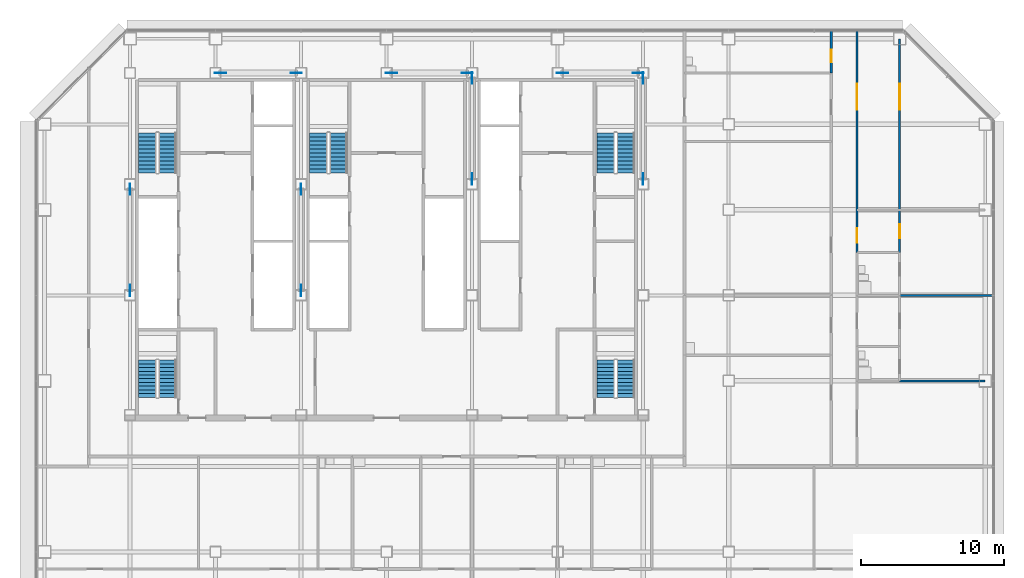
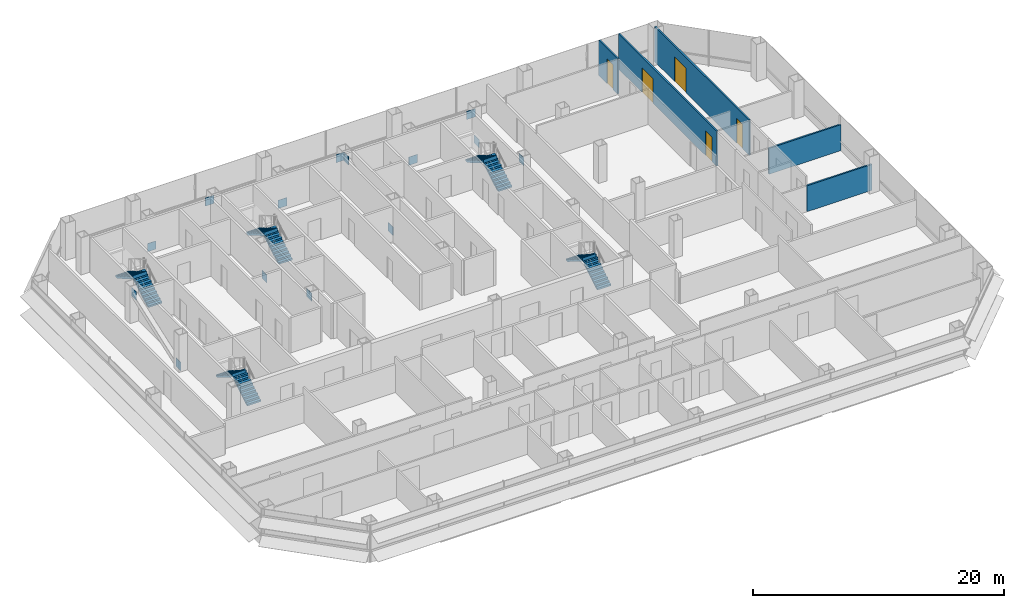
# One storey, part 24 of 26: 14 discrete accessories, 10 stair flights, 5 doors, 5 walls, 5 openings, 5 elements without a shape of their own.
"""IFC4 building model written with IfcOpenShell, lengths in metres."""

from ifc_helpers import new_model, si_unit, direction, frame, frame_2d, origin, origin_2d, place, context, subcontext, project, spatial, polyline, rectangle, outline, extrude, material, layer, layer_set, type_object, element, fill, aggregate, save


model = new_model("IFC4")

# Units and contexts
model_context = context("Model", 3, precision=1e-05, world=origin(), true_north=direction((0.0, 1.0)))
body_context = subcontext(model_context, "Body", "Model", "MODEL_VIEW")
ifc_project = project(units=[si_unit("LENGTHUNIT", "METRE"), si_unit("AREAUNIT", "SQUARE_METRE"), si_unit("VOLUMEUNIT", "CUBIC_METRE"), si_unit("PLANEANGLEUNIT", "RADIAN"), si_unit("MASSUNIT", "GRAM", prefix="KILO")], contexts=[model_context])

# Site, building, storey
site_placement = place(None, origin())
site = spatial("IfcSite", under=ifc_project, at=site_placement, CompositionType="ELEMENT")
building_placement = place(site_placement, origin())
building = spatial("IfcBuilding", under=site, at=building_placement, Name="Sorahane Residences", CompositionType="ELEMENT")
storey_placement = place(building_placement, frame((0.0, 0.0, 71.39990234375)))
storey = spatial("IfcBuildingStorey", under=building, at=storey_placement, Name="L14", CompositionType="ELEMENT", Elevation=71.39990234375)

# Wall, openings, doors
ifc_material_1 = material(Name="Gypsum board partition on steel studs", Category="steel")
ifc_layer_1 = layer(ifc_material_1, 0.14990234375)
ifc_layer_set_1 = layer_set([ifc_layer_1], Name="Partition 150 EI 90")
wall_type_1 = type_object("IfcWallType", Name="Partition 150 EI 90", PredefinedType="PARTITIONING", material=ifc_layer_set_1)
wall_1_placement = place(storey_placement, frame((57.0, 33.0, 0.0), z_axis=(0.0, 0.0, 1.0), x_axis=(0.0, 1.0, 0.0)))
wall_1 = element("IfcWall", 1, at=wall_1_placement, inside=storey, type_object=wall_type_1, Name="L14 partition", PredefinedType="PARTITIONING", context=body_context, shape_type="SweptSolid", body=[
    extrude(rectangle(XDim=15.60009765625, YDim=0.14990234375, at=frame_2d((7.800048828125, 0.0))), origin(), (0.0, 0.0, 1.0), 3.420166015625),
])
opening_1_placement = place(wall_1_placement, frame((0.699951171875, 0.0, 0.0)))
opening_1 = element("IfcOpeningElement", 2, at=opening_1_placement, cuts=wall_1, Name="Opening L14-35", PredefinedType="OPENING", context=body_context, shape_type="SweptSolid", body=[
    extrude(rectangle(XDim=1.0, YDim=2.39990234375, at=frame_2d((0.5, 1.199951171875))), frame((0.0, 0.0849609375, 0.0), z_axis=(0.0, -1.0, 0.0), x_axis=(1.0, 0.0, 0.0)), (0.0, 0.0, 1.0), 0.169921875),
])
opening_2_placement = place(wall_1_placement, frame((10.0400390625, 0.0, 0.0)))
opening_2 = element("IfcOpeningElement", 3, at=opening_2_placement, cuts=wall_1, Name="Opening L14-36", PredefinedType="OPENING", context=body_context, shape_type="SweptSolid", body=[
    extrude(rectangle(XDim=1.800048828125, YDim=2.39990234375, at=frame_2d((0.89990234375, 1.199951171875))), frame((0.0, 0.0849609375, 0.0), z_axis=(0.0, -1.0, 0.0), x_axis=(1.0, 0.0, 0.0)), (0.0, 0.0, 1.0), 0.169921875),
])
ifc_material_2 = material(Name="Timber veneered fire door", Category="wood")
door_type_1 = type_object("IfcDoorType", Name="Double door 1800x2400 FD30", OperationType="NOTDEFINED", PredefinedType="DOOR", material=ifc_material_2)
door_1_placement = place(opening_2_placement, frame((1.800048828125, 0.0, 0.0), z_axis=(0.0, 0.0, 1.0), x_axis=(-1.0, 0.0, 0.0)))
door_1 = element("IfcDoor", 4, at=door_1_placement, inside=storey, type_object=door_type_1, Name="Double door L14-36", OperationType="SINGLE_SWING_RIGHT", OverallHeight=2.39990234375, OverallWidth=1.800048828125, PredefinedType="DOOR", context=body_context, shape_type="SweptSolid", body=[
    extrude(rectangle(XDim=1.800048828125, YDim=2.39990234375, at=frame_2d((0.89990234375, 1.199951171875))), frame((0.0, 0.02490234375, 0.0), z_axis=(0.0, -1.0, 0.0), x_axis=(1.0, 0.0, 0.0)), (0.0, 0.0, 1.0), 0.050048828125),
])
fill(opening_2, door_1)
ifc_material_3 = material(Name="Timber veneered fire door", Category="wood")
door_type_2 = type_object("IfcDoorType", Name="Room door 1000x2400 FD30", OperationType="NOTDEFINED", PredefinedType="DOOR", material=ifc_material_3)
door_2_placement = place(opening_1_placement, frame((1.0, 0.0, 0.0), z_axis=(0.0, 0.0, 1.0), x_axis=(-1.0, 0.0, 0.0)))
door_2 = element("IfcDoor", 5, at=door_2_placement, inside=storey, type_object=door_type_2, Name="Room door L14-35", OperationType="SINGLE_SWING_LEFT", OverallHeight=2.39990234375, OverallWidth=1.0, PredefinedType="DOOR", context=body_context, shape_type="SweptSolid", body=[
    extrude(rectangle(XDim=1.0, YDim=2.39990234375, at=frame_2d((0.5, 1.199951171875))), frame((0.0, 0.02490234375, 0.0), z_axis=(0.0, -1.0, 0.0), x_axis=(1.0, 0.0, 0.0)), (0.0, 0.0, 1.0), 0.050048828125),
])
fill(opening_1, door_2)

wall_2_placement = place(storey_placement, frame((60.0, 33.0, 0.0), z_axis=(0.0, 0.0, 1.0), x_axis=(0.0, 1.0, 0.0)))
wall_2 = element("IfcWall", 6, at=wall_2_placement, inside=storey, type_object=wall_type_1, Name="L14 partition", PredefinedType="PARTITIONING", context=body_context, shape_type="SweptSolid", body=[
    extrude(rectangle(XDim=15.0, YDim=0.14990234375, at=frame_2d((7.5, 0.0))), origin(), (0.0, 0.0, 1.0), 3.420166015625),
])
opening_3_placement = place(wall_2_placement, frame((1.0, 0.0, 0.0)))
opening_3 = element("IfcOpeningElement", 7, at=opening_3_placement, cuts=wall_2, Name="Opening L14-39", PredefinedType="OPENING", context=body_context, shape_type="SweptSolid", body=[
    extrude(rectangle(XDim=1.0, YDim=2.39990234375, at=frame_2d((0.5, 1.199951171875))), frame((0.0, 0.0849609375, 0.0), z_axis=(0.0, -1.0, 0.0), x_axis=(1.0, 0.0, 0.0)), (0.0, 0.0, 1.0), 0.169921875),
])
opening_4_placement = place(wall_2_placement, frame((10.0400390625, 0.0, 0.0)))
opening_4 = element("IfcOpeningElement", 8, at=opening_4_placement, cuts=wall_2, Name="Opening L14-41", PredefinedType="OPENING", context=body_context, shape_type="SweptSolid", body=[
    extrude(rectangle(XDim=1.800048828125, YDim=2.39990234375, at=frame_2d((0.89990234375, 1.199951171875))), frame((0.0, 0.0849609375, 0.0), z_axis=(0.0, -1.0, 0.0), x_axis=(1.0, 0.0, 0.0)), (0.0, 0.0, 1.0), 0.169921875),
])
door_3_placement = place(opening_4_placement, frame((1.800048828125, 0.0, 0.0), z_axis=(0.0, 0.0, 1.0), x_axis=(-1.0, 0.0, 0.0)))
door_3 = element("IfcDoor", 9, at=door_3_placement, inside=storey, type_object=door_type_1, Name="Double door L14-41", OperationType="SINGLE_SWING_LEFT", OverallHeight=2.39990234375, OverallWidth=1.800048828125, PredefinedType="DOOR", context=body_context, shape_type="SweptSolid", body=[
    extrude(rectangle(XDim=1.800048828125, YDim=2.39990234375, at=frame_2d((0.89990234375, 1.199951171875))), frame((0.0, 0.02490234375, 0.0), z_axis=(0.0, -1.0, 0.0), x_axis=(1.0, 0.0, 0.0)), (0.0, 0.0, 1.0), 0.050048828125),
])
fill(opening_4, door_3)
door_4_placement = place(opening_3_placement, frame((1.0, 0.0, 0.0), z_axis=(0.0, 0.0, 1.0), x_axis=(-1.0, 0.0, 0.0)))
door_4 = element("IfcDoor", 10, at=door_4_placement, inside=storey, type_object=door_type_2, Name="Room door L14-39", OperationType="SINGLE_SWING_LEFT", OverallHeight=2.39990234375, OverallWidth=1.0, PredefinedType="DOOR", context=body_context, shape_type="SweptSolid", body=[
    extrude(rectangle(XDim=1.0, YDim=2.39990234375, at=frame_2d((0.5, 1.199951171875))), frame((0.0, 0.02490234375, 0.0), z_axis=(0.0, -1.0, 0.0), x_axis=(1.0, 0.0, 0.0)), (0.0, 0.0, 1.0), 0.050048828125),
])
fill(opening_3, door_4)

# Walls
wall_3_placement = place(storey_placement, frame((60.0, 24.0, 0.0), z_axis=(0.0, 0.0, 1.0), x_axis=(1.0, 0.0, 0.0)))
element("IfcWall", 11, at=wall_3_placement, inside=storey, type_object=wall_type_1, Name="L14 partition", PredefinedType="PARTITIONING", context=body_context, shape_type="SweptSolid", body=[
    extrude(rectangle(XDim=6.0, YDim=0.14990234375, at=frame_2d((3.0, 0.0))), origin(), (0.0, 0.0, 1.0), 2.52001953125),
])
wall_4_placement = place(storey_placement, frame((60.0, 30.0, 0.0), z_axis=(0.0, 0.0, 1.0), x_axis=(1.0, 0.0, 0.0)))
element("IfcWall", 12, at=wall_4_placement, inside=storey, type_object=wall_type_1, Name="L14 partition", PredefinedType="PARTITIONING", context=body_context, shape_type="SweptSolid", body=[
    extrude(rectangle(XDim=6.60009765625, YDim=0.14990234375, at=frame_2d((3.300048828125, 0.0))), origin(), (0.0, 0.0, 1.0), 2.52001953125),
])

# Wall, opening, door
ifc_material_4 = material(Name="Gypsum board partition on steel studs", Category="steel")
ifc_layer_2 = layer(ifc_material_4, 0.14990234375)
ifc_layer_set_2 = layer_set([ifc_layer_2], Name="Wet wall 150 EI 90")
wall_type_2 = type_object("IfcWallType", Name="Wet wall 150 EI 90", PredefinedType="PARTITIONING", material=ifc_layer_set_2)
wall_5_placement = place(storey_placement, frame((55.199951171875, 45.60009765625, 0.0), z_axis=(0.0, 0.0, 1.0), x_axis=(0.0, 1.0, 0.0)))
wall_5 = element("IfcWall", 13, at=wall_5_placement, inside=storey, type_object=wall_type_2, Name="L14 wet wall", PredefinedType="PARTITIONING", context=body_context, shape_type="SweptSolid", body=[
    extrude(rectangle(XDim=3.0, YDim=0.14990234375, at=frame_2d((1.5, 0.0))), origin(), (0.0, 0.0, 1.0), 3.420166015625),
])
opening_5_placement = place(wall_5_placement, frame((0.75, 0.0, 0.0)))
opening_5 = element("IfcOpeningElement", 14, at=opening_5_placement, cuts=wall_5, Name="Opening L14-32", PredefinedType="OPENING", context=body_context, shape_type="SweptSolid", body=[
    extrude(rectangle(XDim=0.89990234375, YDim=2.39990234375, at=frame_2d((0.449951171875, 1.199951171875))), frame((0.0, 0.0849609375, 0.0), z_axis=(0.0, -1.0, 0.0), x_axis=(1.0, 0.0, 0.0)), (0.0, 0.0, 1.0), 0.169921875),
])
ifc_material_5 = material(Name="Timber veneered fire door", Category="wood")
door_type_3 = type_object("IfcDoorType", Name="Bathroom door 900x2400 FD30", OperationType="NOTDEFINED", PredefinedType="DOOR", material=ifc_material_5)
door_5_placement = place(opening_5_placement, frame((0.89990234375, 0.0, 0.0), z_axis=(0.0, 0.0, 1.0), x_axis=(-1.0, 0.0, 0.0)))
door_5 = element("IfcDoor", 15, at=door_5_placement, inside=storey, type_object=door_type_3, Name="Bathroom door L14-32", OperationType="SINGLE_SWING_LEFT", OverallHeight=2.39990234375, OverallWidth=0.89990234375, PredefinedType="DOOR", context=body_context, shape_type="SweptSolid", body=[
    extrude(rectangle(XDim=0.89990234375, YDim=2.39990234375, at=frame_2d((0.449951171875, 1.199951171875))), frame((0.0, 0.02490234375, 0.0), z_axis=(0.0, -1.0, 0.0), x_axis=(1.0, 0.0, 0.0)), (0.0, 0.0, 1.0), 0.050048828125),
])
fill(opening_5, door_5)

# Stair, stair flights
ifc_material_6 = material(Name="Concrete C40", Category="concrete")
stair_type = type_object("IfcStairType", Name="Dog-leg stair 1250 Concrete C40", PredefinedType="HALF_TURN_STAIR", material=ifc_material_6)
stair_1_placement = place(storey_placement, origin())
stair_1 = element("IfcStair", 16, at=stair_1_placement, inside=storey, type_object=stair_type, Name="L14 Stair S1", PredefinedType="HALF_TURN_STAIR")
ifc_material_7 = material(Name="Concrete C40", Category="concrete")
stair_flight_type = type_object("IfcStairFlightType", Name="Stair flight 1250 Concrete C40", PredefinedType="STRAIGHT", material=ifc_material_7)
stair_flight_1_placement = place(storey_placement, frame((8.625, 38.60009765625, 0.0), z_axis=(0.0, 0.0, 1.0), x_axis=(0.0, 1.0, 0.0)))
stair_flight_1 = element("IfcStairFlight", 17, at=stair_flight_1_placement, type_object=stair_flight_type, Name="S1 flight 1", NumberOfRisers=11, NumberOfTreads=10, PredefinedType="STRAIGHT", RiserHeight=0.163636364, TreadLength=0.28, context=body_context, shape_type="SweptSolid", body=[
    extrude(outline(polyline([(-0.00146484375, 0.0), (-0.00146484375, 0.16357421875), (0.0, 0.16357421875), (0.280029296875, 0.16357421875), (0.280029296875, 0.327392578125), (0.56005859375, 0.327392578125), (0.56005859375, 0.490966796875), (0.840087890625, 0.490966796875), (0.840087890625, 0.654541015625), (1.1201171875, 0.654541015625), (1.1201171875, 0.818115234375), (1.39990234375, 0.818115234375), (1.39990234375, 0.98193359375), (1.679931640625, 0.98193359375), (1.679931640625, 1.1455078125), (1.9599609375, 1.1455078125), (1.9599609375, 1.30908203125), (2.239990234375, 1.30908203125), (2.239990234375, 1.47265625), (2.52001953125, 1.47265625), (2.52001953125, 1.636474609375), (2.800048828125, 1.636474609375), (2.800048828125, 1.800048828125), (2.800048828125, 1.462646484375), (2.59130859375, 1.3408203125), (2.3828125, 1.218994140625), (2.17431640625, 1.09716796875), (1.965576171875, 0.97509765625), (1.757080078125, 0.853271484375), (1.548583984375, 0.7314453125), (1.340087890625, 0.609375), (1.13134765625, 0.487548828125), (0.9228515625, 0.36572265625), (0.71435546875, 0.243896484375), (0.505615234375, 0.121826171875), (0.297119140625, 0.0), (-0.00146484375, 0.0)])), frame((0.0, 0.625, 0.0), z_axis=(0.0, -1.0, 0.0), x_axis=(1.0, 0.0, 0.0)), (0.0, 0.0, 1.0), 1.25),
])
stair_flight_2_placement = place(storey_placement, frame((7.22509765625, 41.39990234375, 1.800048828125), z_axis=(0.0, 0.0, 1.0), x_axis=(0.0, -1.0, 0.0)))
stair_flight_2 = element("IfcStairFlight", 18, at=stair_flight_2_placement, type_object=stair_flight_type, Name="S1 flight 2", NumberOfRisers=11, NumberOfTreads=10, PredefinedType="STRAIGHT", RiserHeight=0.163636364, TreadLength=0.28, context=body_context, shape_type="SweptSolid", body=[
    extrude(outline(polyline([(0.0, 0.0), (0.0, 0.16357421875), (0.280029296875, 0.16357421875), (0.280029296875, 0.327392578125), (0.56005859375, 0.327392578125), (0.56005859375, 0.490966796875), (0.840087890625, 0.490966796875), (0.840087890625, 0.654541015625), (1.1201171875, 0.654541015625), (1.1201171875, 0.818115234375), (1.39990234375, 0.818115234375), (1.39990234375, 0.98193359375), (1.679931640625, 0.98193359375), (1.679931640625, 1.1455078125), (1.9599609375, 1.1455078125), (1.9599609375, 1.30908203125), (2.239990234375, 1.30908203125), (2.239990234375, 1.47265625), (2.52001953125, 1.47265625), (2.52001953125, 1.636474609375), (2.800048828125, 1.636474609375), (2.800048828125, 1.800048828125), (2.801513671875, 1.800048828125), (2.801513671875, 1.462646484375), (2.5927734375, 1.3408203125), (2.384033203125, 1.218994140625), (2.17529296875, 1.09716796875), (1.966796875, 0.97509765625), (1.758056640625, 0.853271484375), (1.54931640625, 0.7314453125), (1.340576171875, 0.609375), (1.1318359375, 0.487548828125), (0.923095703125, 0.36572265625), (0.714599609375, 0.243896484375), (0.505859375, 0.121826171875), (0.297119140625, 0.0), (0.0, 0.0)])), frame((0.0, 0.625, 0.0), z_axis=(0.0, -1.0, 0.0), x_axis=(1.0, 0.0, 0.0)), (0.0, 0.0, 1.0), 1.25),
])
aggregate(stair_1, [stair_flight_1, stair_flight_2])

stair_2_placement = place(storey_placement, origin())
stair_2 = element("IfcStair", 19, at=stair_2_placement, inside=storey, type_object=stair_type, Name="L14 Stair S2", PredefinedType="HALF_TURN_STAIR")
stair_flight_3_placement = place(storey_placement, frame((40.77490234375, 38.60009765625, 0.0), z_axis=(0.0, 0.0, 1.0), x_axis=(0.0, 1.0, 0.0)))
stair_flight_3 = element("IfcStairFlight", 20, at=stair_flight_3_placement, type_object=stair_flight_type, Name="S2 flight 1", NumberOfRisers=11, NumberOfTreads=10, PredefinedType="STRAIGHT", RiserHeight=0.163636364, TreadLength=0.28, context=body_context, shape_type="SweptSolid", body=[
    extrude(outline(polyline([(-0.00146484375, 0.0), (-0.00146484375, 0.16357421875), (0.0, 0.16357421875), (0.280029296875, 0.16357421875), (0.280029296875, 0.327392578125), (0.56005859375, 0.327392578125), (0.56005859375, 0.490966796875), (0.840087890625, 0.490966796875), (0.840087890625, 0.654541015625), (1.1201171875, 0.654541015625), (1.1201171875, 0.818115234375), (1.39990234375, 0.818115234375), (1.39990234375, 0.98193359375), (1.679931640625, 0.98193359375), (1.679931640625, 1.1455078125), (1.9599609375, 1.1455078125), (1.9599609375, 1.30908203125), (2.239990234375, 1.30908203125), (2.239990234375, 1.47265625), (2.52001953125, 1.47265625), (2.52001953125, 1.636474609375), (2.800048828125, 1.636474609375), (2.800048828125, 1.800048828125), (2.800048828125, 1.462646484375), (2.59130859375, 1.3408203125), (2.3828125, 1.218994140625), (2.17431640625, 1.09716796875), (1.965576171875, 0.97509765625), (1.757080078125, 0.853271484375), (1.548583984375, 0.7314453125), (1.340087890625, 0.609375), (1.13134765625, 0.487548828125), (0.9228515625, 0.36572265625), (0.71435546875, 0.243896484375), (0.505615234375, 0.121826171875), (0.297119140625, 0.0), (-0.00146484375, 0.0)])), frame((0.0, 0.625, 0.0), z_axis=(0.0, -1.0, 0.0), x_axis=(1.0, 0.0, 0.0)), (0.0, 0.0, 1.0), 1.25),
])
stair_flight_4_placement = place(storey_placement, frame((39.375, 41.39990234375, 1.800048828125), z_axis=(0.0, 0.0, 1.0), x_axis=(0.0, -1.0, 0.0)))
stair_flight_4 = element("IfcStairFlight", 21, at=stair_flight_4_placement, type_object=stair_flight_type, Name="S2 flight 2", NumberOfRisers=11, NumberOfTreads=10, PredefinedType="STRAIGHT", RiserHeight=0.163636364, TreadLength=0.28, context=body_context, shape_type="SweptSolid", body=[
    extrude(outline(polyline([(0.0, 0.0), (0.0, 0.16357421875), (0.280029296875, 0.16357421875), (0.280029296875, 0.327392578125), (0.56005859375, 0.327392578125), (0.56005859375, 0.490966796875), (0.840087890625, 0.490966796875), (0.840087890625, 0.654541015625), (1.1201171875, 0.654541015625), (1.1201171875, 0.818115234375), (1.39990234375, 0.818115234375), (1.39990234375, 0.98193359375), (1.679931640625, 0.98193359375), (1.679931640625, 1.1455078125), (1.9599609375, 1.1455078125), (1.9599609375, 1.30908203125), (2.239990234375, 1.30908203125), (2.239990234375, 1.47265625), (2.52001953125, 1.47265625), (2.52001953125, 1.636474609375), (2.800048828125, 1.636474609375), (2.800048828125, 1.800048828125), (2.801513671875, 1.800048828125), (2.801513671875, 1.462646484375), (2.5927734375, 1.3408203125), (2.384033203125, 1.218994140625), (2.17529296875, 1.09716796875), (1.966796875, 0.97509765625), (1.758056640625, 0.853271484375), (1.54931640625, 0.7314453125), (1.340576171875, 0.609375), (1.1318359375, 0.487548828125), (0.923095703125, 0.36572265625), (0.714599609375, 0.243896484375), (0.505859375, 0.121826171875), (0.297119140625, 0.0), (0.0, 0.0)])), frame((0.0, 0.625, 0.0), z_axis=(0.0, -1.0, 0.0), x_axis=(1.0, 0.0, 0.0)), (0.0, 0.0, 1.0), 1.25),
])
aggregate(stair_2, [stair_flight_3, stair_flight_4])

stair_3_placement = place(storey_placement, origin())
stair_3 = element("IfcStair", 22, at=stair_3_placement, inside=storey, type_object=stair_type, Name="L14 Stair S3", PredefinedType="HALF_TURN_STAIR")
stair_flight_5_placement = place(storey_placement, frame((20.625, 38.60009765625, 0.0), z_axis=(0.0, 0.0, 1.0), x_axis=(0.0, 1.0, 0.0)))
stair_flight_5 = element("IfcStairFlight", 23, at=stair_flight_5_placement, type_object=stair_flight_type, Name="S3 flight 1", NumberOfRisers=11, NumberOfTreads=10, PredefinedType="STRAIGHT", RiserHeight=0.163636364, TreadLength=0.28, context=body_context, shape_type="SweptSolid", body=[
    extrude(outline(polyline([(-0.00146484375, 0.0), (-0.00146484375, 0.16357421875), (0.0, 0.16357421875), (0.280029296875, 0.16357421875), (0.280029296875, 0.327392578125), (0.56005859375, 0.327392578125), (0.56005859375, 0.490966796875), (0.840087890625, 0.490966796875), (0.840087890625, 0.654541015625), (1.1201171875, 0.654541015625), (1.1201171875, 0.818115234375), (1.39990234375, 0.818115234375), (1.39990234375, 0.98193359375), (1.679931640625, 0.98193359375), (1.679931640625, 1.1455078125), (1.9599609375, 1.1455078125), (1.9599609375, 1.30908203125), (2.239990234375, 1.30908203125), (2.239990234375, 1.47265625), (2.52001953125, 1.47265625), (2.52001953125, 1.636474609375), (2.800048828125, 1.636474609375), (2.800048828125, 1.800048828125), (2.800048828125, 1.462646484375), (2.59130859375, 1.3408203125), (2.3828125, 1.218994140625), (2.17431640625, 1.09716796875), (1.965576171875, 0.97509765625), (1.757080078125, 0.853271484375), (1.548583984375, 0.7314453125), (1.340087890625, 0.609375), (1.13134765625, 0.487548828125), (0.9228515625, 0.36572265625), (0.71435546875, 0.243896484375), (0.505615234375, 0.121826171875), (0.297119140625, 0.0), (-0.00146484375, 0.0)])), frame((0.0, 0.625, 0.0), z_axis=(0.0, -1.0, 0.0), x_axis=(1.0, 0.0, 0.0)), (0.0, 0.0, 1.0), 1.25),
])
stair_flight_6_placement = place(storey_placement, frame((19.22509765625, 41.39990234375, 1.800048828125), z_axis=(0.0, 0.0, 1.0), x_axis=(0.0, -1.0, 0.0)))
stair_flight_6 = element("IfcStairFlight", 24, at=stair_flight_6_placement, type_object=stair_flight_type, Name="S3 flight 2", NumberOfRisers=11, NumberOfTreads=10, PredefinedType="STRAIGHT", RiserHeight=0.163636364, TreadLength=0.28, context=body_context, shape_type="SweptSolid", body=[
    extrude(outline(polyline([(0.0, 0.0), (0.0, 0.16357421875), (0.280029296875, 0.16357421875), (0.280029296875, 0.327392578125), (0.56005859375, 0.327392578125), (0.56005859375, 0.490966796875), (0.840087890625, 0.490966796875), (0.840087890625, 0.654541015625), (1.1201171875, 0.654541015625), (1.1201171875, 0.818115234375), (1.39990234375, 0.818115234375), (1.39990234375, 0.98193359375), (1.679931640625, 0.98193359375), (1.679931640625, 1.1455078125), (1.9599609375, 1.1455078125), (1.9599609375, 1.30908203125), (2.239990234375, 1.30908203125), (2.239990234375, 1.47265625), (2.52001953125, 1.47265625), (2.52001953125, 1.636474609375), (2.800048828125, 1.636474609375), (2.800048828125, 1.800048828125), (2.801513671875, 1.800048828125), (2.801513671875, 1.462646484375), (2.5927734375, 1.3408203125), (2.384033203125, 1.218994140625), (2.17529296875, 1.09716796875), (1.966796875, 0.97509765625), (1.758056640625, 0.853271484375), (1.54931640625, 0.7314453125), (1.340576171875, 0.609375), (1.1318359375, 0.487548828125), (0.923095703125, 0.36572265625), (0.714599609375, 0.243896484375), (0.505859375, 0.121826171875), (0.297119140625, 0.0), (0.0, 0.0)])), frame((0.0, 0.625, 0.0), z_axis=(0.0, -1.0, 0.0), x_axis=(1.0, 0.0, 0.0)), (0.0, 0.0, 1.0), 1.25),
])
aggregate(stair_3, [stair_flight_5, stair_flight_6])

stair_4_placement = place(storey_placement, origin())
stair_4 = element("IfcStair", 25, at=stair_4_placement, inside=storey, type_object=stair_type, Name="L14 Stair S4", PredefinedType="HALF_TURN_STAIR")
stair_flight_7_placement = place(storey_placement, frame((8.625, 22.85009765625, 0.0), z_axis=(0.0, 0.0, 1.0), x_axis=(0.0, 1.0, 0.0)))
stair_flight_7 = element("IfcStairFlight", 26, at=stair_flight_7_placement, type_object=stair_flight_type, Name="S4 flight 1", NumberOfRisers=11, NumberOfTreads=10, PredefinedType="STRAIGHT", RiserHeight=0.163636364, TreadLength=0.26, context=body_context, shape_type="SweptSolid", body=[
    extrude(outline(polyline([(-0.00146484375, 0.0), (-0.00146484375, 0.16357421875), (0.0, 0.16357421875), (0.260009765625, 0.16357421875), (0.260009765625, 0.327392578125), (0.52001953125, 0.327392578125), (0.52001953125, 0.490966796875), (0.780029296875, 0.490966796875), (0.780029296875, 0.654541015625), (1.0400390625, 0.654541015625), (1.0400390625, 0.818115234375), (1.300048828125, 0.818115234375), (1.300048828125, 0.98193359375), (1.56005859375, 0.98193359375), (1.56005859375, 1.1455078125), (1.820068359375, 1.1455078125), (1.820068359375, 1.30908203125), (2.080078125, 1.30908203125), (2.080078125, 1.47265625), (2.340087890625, 1.47265625), (2.340087890625, 1.636474609375), (2.60009765625, 1.636474609375), (2.60009765625, 1.800048828125), (2.60009765625, 1.494384765625), (2.402099609375, 1.369873046875), (2.204345703125, 1.245361328125), (2.00634765625, 1.120849609375), (1.80859375, 0.996337890625), (1.610595703125, 0.871826171875), (1.412841796875, 0.747314453125), (1.21484375, 0.622802734375), (1.01708984375, 0.498046875), (0.819091796875, 0.37353515625), (0.621337890625, 0.2490234375), (0.42333984375, 0.12451171875), (0.2255859375, 0.0), (-0.00146484375, 0.0)])), frame((0.0, 0.625, 0.0), z_axis=(0.0, -1.0, 0.0), x_axis=(1.0, 0.0, 0.0)), (0.0, 0.0, 1.0), 1.25),
])
stair_flight_8_placement = place(storey_placement, frame((7.22509765625, 25.449951171875, 1.800048828125), z_axis=(0.0, 0.0, 1.0), x_axis=(0.0, -1.0, 0.0)))
stair_flight_8 = element("IfcStairFlight", 27, at=stair_flight_8_placement, type_object=stair_flight_type, Name="S4 flight 2", NumberOfRisers=11, NumberOfTreads=10, PredefinedType="STRAIGHT", RiserHeight=0.163636364, TreadLength=0.26, context=body_context, shape_type="SweptSolid", body=[
    extrude(outline(polyline([(0.0, 0.0), (0.0, 0.16357421875), (0.260009765625, 0.16357421875), (0.260009765625, 0.327392578125), (0.52001953125, 0.327392578125), (0.52001953125, 0.490966796875), (0.780029296875, 0.490966796875), (0.780029296875, 0.654541015625), (1.0400390625, 0.654541015625), (1.0400390625, 0.818115234375), (1.300048828125, 0.818115234375), (1.300048828125, 0.98193359375), (1.56005859375, 0.98193359375), (1.56005859375, 1.1455078125), (1.820068359375, 1.1455078125), (1.820068359375, 1.30908203125), (2.080078125, 1.30908203125), (2.080078125, 1.47265625), (2.340087890625, 1.47265625), (2.340087890625, 1.636474609375), (2.60009765625, 1.636474609375), (2.60009765625, 1.800048828125), (2.6015625, 1.800048828125), (2.6015625, 1.494384765625), (2.403564453125, 1.369873046875), (2.20556640625, 1.245361328125), (2.007568359375, 1.120849609375), (1.8095703125, 0.996337890625), (1.611572265625, 0.871826171875), (1.41357421875, 0.747314453125), (1.215576171875, 0.622802734375), (1.017578125, 0.498046875), (0.819580078125, 0.37353515625), (0.62158203125, 0.2490234375), (0.423583984375, 0.12451171875), (0.2255859375, 0.0), (0.0, 0.0)])), frame((0.0, 0.625, 0.0), z_axis=(0.0, -1.0, 0.0), x_axis=(1.0, 0.0, 0.0)), (0.0, 0.0, 1.0), 1.25),
])
aggregate(stair_4, [stair_flight_7, stair_flight_8])

stair_5_placement = place(storey_placement, origin())
stair_5 = element("IfcStair", 28, at=stair_5_placement, inside=storey, type_object=stair_type, Name="L14 Stair S5", PredefinedType="HALF_TURN_STAIR")
stair_flight_9_placement = place(storey_placement, frame((40.77490234375, 22.85009765625, 0.0), z_axis=(0.0, 0.0, 1.0), x_axis=(0.0, 1.0, 0.0)))
stair_flight_9 = element("IfcStairFlight", 29, at=stair_flight_9_placement, type_object=stair_flight_type, Name="S5 flight 1", NumberOfRisers=11, NumberOfTreads=10, PredefinedType="STRAIGHT", RiserHeight=0.163636364, TreadLength=0.26, context=body_context, shape_type="SweptSolid", body=[
    extrude(outline(polyline([(-0.00146484375, 0.0), (-0.00146484375, 0.16357421875), (0.0, 0.16357421875), (0.260009765625, 0.16357421875), (0.260009765625, 0.327392578125), (0.52001953125, 0.327392578125), (0.52001953125, 0.490966796875), (0.780029296875, 0.490966796875), (0.780029296875, 0.654541015625), (1.0400390625, 0.654541015625), (1.0400390625, 0.818115234375), (1.300048828125, 0.818115234375), (1.300048828125, 0.98193359375), (1.56005859375, 0.98193359375), (1.56005859375, 1.1455078125), (1.820068359375, 1.1455078125), (1.820068359375, 1.30908203125), (2.080078125, 1.30908203125), (2.080078125, 1.47265625), (2.340087890625, 1.47265625), (2.340087890625, 1.636474609375), (2.60009765625, 1.636474609375), (2.60009765625, 1.800048828125), (2.60009765625, 1.494384765625), (2.402099609375, 1.369873046875), (2.204345703125, 1.245361328125), (2.00634765625, 1.120849609375), (1.80859375, 0.996337890625), (1.610595703125, 0.871826171875), (1.412841796875, 0.747314453125), (1.21484375, 0.622802734375), (1.01708984375, 0.498046875), (0.819091796875, 0.37353515625), (0.621337890625, 0.2490234375), (0.42333984375, 0.12451171875), (0.2255859375, 0.0), (-0.00146484375, 0.0)])), frame((0.0, 0.625, 0.0), z_axis=(0.0, -1.0, 0.0), x_axis=(1.0, 0.0, 0.0)), (0.0, 0.0, 1.0), 1.25),
])
stair_flight_10_placement = place(storey_placement, frame((39.375, 25.449951171875, 1.800048828125), z_axis=(0.0, 0.0, 1.0), x_axis=(0.0, -1.0, 0.0)))
stair_flight_10 = element("IfcStairFlight", 30, at=stair_flight_10_placement, type_object=stair_flight_type, Name="S5 flight 2", NumberOfRisers=11, NumberOfTreads=10, PredefinedType="STRAIGHT", RiserHeight=0.163636364, TreadLength=0.26, context=body_context, shape_type="SweptSolid", body=[
    extrude(outline(polyline([(0.0, 0.0), (0.0, 0.16357421875), (0.260009765625, 0.16357421875), (0.260009765625, 0.327392578125), (0.52001953125, 0.327392578125), (0.52001953125, 0.490966796875), (0.780029296875, 0.490966796875), (0.780029296875, 0.654541015625), (1.0400390625, 0.654541015625), (1.0400390625, 0.818115234375), (1.300048828125, 0.818115234375), (1.300048828125, 0.98193359375), (1.56005859375, 0.98193359375), (1.56005859375, 1.1455078125), (1.820068359375, 1.1455078125), (1.820068359375, 1.30908203125), (2.080078125, 1.30908203125), (2.080078125, 1.47265625), (2.340087890625, 1.47265625), (2.340087890625, 1.636474609375), (2.60009765625, 1.636474609375), (2.60009765625, 1.800048828125), (2.6015625, 1.800048828125), (2.6015625, 1.494384765625), (2.403564453125, 1.369873046875), (2.20556640625, 1.245361328125), (2.007568359375, 1.120849609375), (1.8095703125, 0.996337890625), (1.611572265625, 0.871826171875), (1.41357421875, 0.747314453125), (1.215576171875, 0.622802734375), (1.017578125, 0.498046875), (0.819580078125, 0.37353515625), (0.62158203125, 0.2490234375), (0.423583984375, 0.12451171875), (0.2255859375, 0.0), (0.0, 0.0)])), frame((0.0, 0.625, 0.0), z_axis=(0.0, -1.0, 0.0), x_axis=(1.0, 0.0, 0.0)), (0.0, 0.0, 1.0), 1.25),
])
aggregate(stair_5, [stair_flight_9, stair_flight_10])

# Discrete accessories
ifc_material_8 = material(Name="Steel Q355B", Category="steel")
ifc_layer_3 = layer(ifc_material_8, 0.02490234375)
ifc_layer_set_3 = layer_set([ifc_layer_3], Name="Node plate Steel Q355B 25")
discrete_accessory_type = type_object("IfcDiscreteAccessoryType", Name="Node plate Steel Q355B 25", PredefinedType="BRACKET", material=ifc_layer_set_3)
for number, where, z_axis, x_axis, name in (
    (31, (6.0, 30.354248046875, -0.19140625), (0.0, 0.0, 1.0), (0.0, 1.0, 0.0), "Node plate L14 br"),
    (32, (6.0, 37.44580078125, 2.36181640625), (0.0, 0.0, 1.0), (0.0, 1.0, 0.0), "Node plate L14 br"),
    (33, (18.0, 37.44580078125, -0.19140625), (0.0, 0.0, 1.0), (0.0, 1.0, 0.0), "Node plate L14 br"),
    (34, (18.0, 30.354248046875, 2.36181640625), (0.0, 0.0, 1.0), (0.0, 1.0, 0.0), "Node plate L14 br"),
    (35, (30.0, 38.154296875, -0.19140625), (0.0, 0.0, 1.0), (0.0, 1.0, 0.0), "Node plate L14 br"),
    (36, (30.0, 45.24560546875, 2.36181640625), (0.0, 0.0, 1.0), (0.0, 1.0, 0.0), "Node plate L14 br"),
    (37, (42.0, 45.24560546875, -0.19140625), (0.0, 0.0, 1.0), (0.0, 1.0, 0.0), "Node plate L14 br"),
    (38, (42.0, 38.154296875, 2.36181640625), (0.0, 0.0, 1.0), (0.0, 1.0, 0.0), "Node plate L14 br"),
    (39, (12.341064453125, 45.60009765625, -0.20361328125), (0.0, 0.0, 1.0), (1.0, 0.0, 0.0), "Node plate L14 br"),
    (40, (24.341064453125, 45.60009765625, -0.20361328125), (0.0, 0.0, 1.0), (1.0, 0.0, 0.0), "Node plate L14 br"),
    (41, (36.341064453125, 45.60009765625, -0.20361328125), (0.0, 0.0, 1.0), (1.0, 0.0, 0.0), "Node plate L14 br"),
    (42, (17.658935546875, 45.60009765625, 2.37353515625), (0.0, 0.0, 1.0), (1.0, 0.0, 0.0), "Node plate L14 br"),
    (43, (29.658935546875, 45.60009765625, 2.37353515625), (0.0, 0.0, 1.0), (1.0, 0.0, 0.0), "Node plate L14 br"),
    (44, (41.658935546875, 45.60009765625, 2.37353515625), (0.0, 0.0, 1.0), (1.0, 0.0, 0.0), "Node plate L14 br"),
):
    element("IfcDiscreteAccessory", number, at=place(storey_placement, frame(where, z_axis=z_axis, x_axis=x_axis)), inside=storey, type_object=discrete_accessory_type, Name=name, PredefinedType="BRACKET", context=body_context, shape_type="SweptSolid", body=[
        extrude(rectangle(XDim=0.800048828125, YDim=0.02490234375, at=origin_2d()), origin(), (0.0, 0.0, 1.0), 0.800048828125),
    ])

save(model, "model.ifc")
